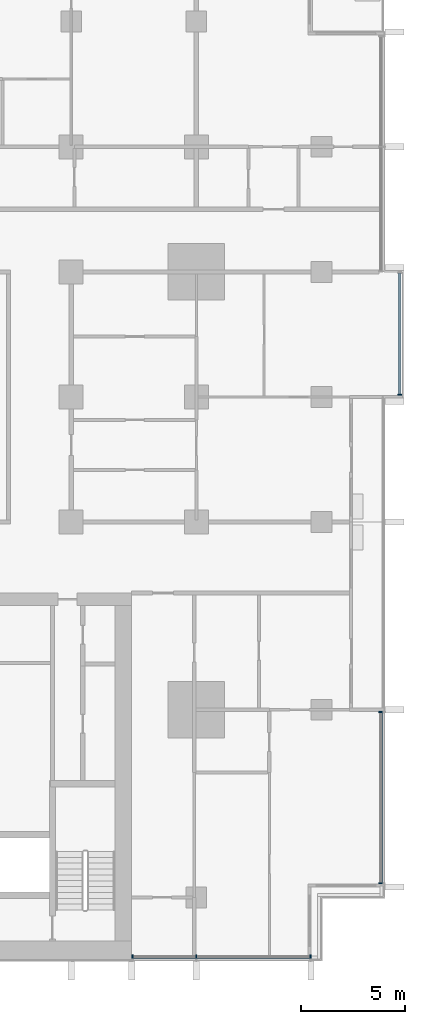
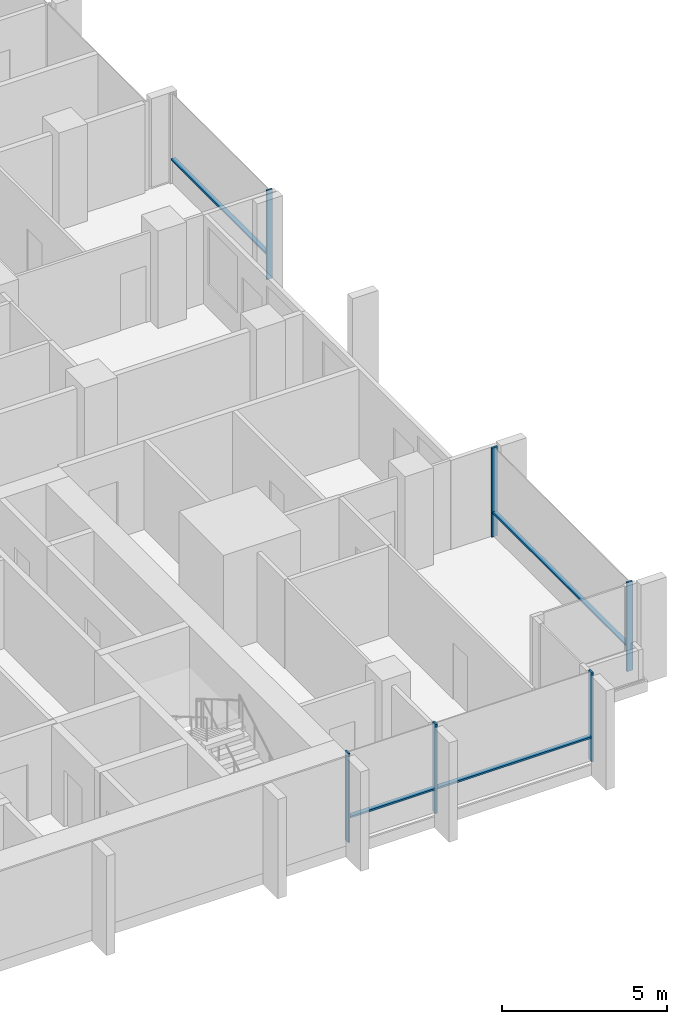
# One storey, part 3 of 19: 10 members, 3 elements without a shape of their own.
"""IFC4 building model written with IfcOpenShell, lengths in metres."""

from ifc_helpers import new_model, si_unit, direction, frame, origin, origin_2d, place, context, subcontext, project, spatial, rectangle, extrude, material, material_profile, profile_set, type_object, element, aggregate, save


model = new_model("IFC4")

# Units and contexts
model_context = context("Model", 3, precision=1e-05, world=origin(), true_north=direction((0.0, 1.0)))
body_context = subcontext(model_context, "Body", "Model", "MODEL_VIEW")
ifc_project = project(units=[si_unit("LENGTHUNIT", "METRE"), si_unit("AREAUNIT", "SQUARE_METRE"), si_unit("VOLUMEUNIT", "CUBIC_METRE"), si_unit("PLANEANGLEUNIT", "RADIAN"), si_unit("MASSUNIT", "GRAM", prefix="KILO")], contexts=[model_context])

# Site, building, storey
site_placement = place(None, origin())
site = spatial("IfcSite", under=ifc_project, at=site_placement, CompositionType="ELEMENT")
building_placement = place(site_placement, origin())
building = spatial("IfcBuilding", under=site, at=building_placement, Name="Finial Court Residences", CompositionType="ELEMENT")
storey_placement = place(building_placement, frame((0.0, 0.0, 81.10009765625)))
storey = spatial("IfcBuildingStorey", under=building, at=storey_placement, Name="L19", CompositionType="ELEMENT", Elevation=81.10009765625)

# Curtain wall, members
ifc_material = material(Name="Bronze anodised aluminium", Category="aluminium")
curtain_wall_type = type_object("IfcCurtainWallType", Name="Unitised curtain wall, lower and middle zones", PredefinedType="NOTDEFINED", material=ifc_material)
curtain_wall_1_placement = place(storey_placement, origin())
curtain_wall_1 = element("IfcCurtainWall", 1, at=curtain_wall_1_placement, inside=storey, type_object=curtain_wall_type, Name="E-L19-CW-E3", PredefinedType="NOTDEFINED")
ifc_material_profile_1 = material_profile(ifc_material, rectangle(XDim=0.199951171875, YDim=0.06494140625, at=origin_2d()), Name="CW1 mullion 65 x 200")
ifc_profile_set_1 = profile_set([ifc_material_profile_1], Name="Bronze anodised aluminium")
member_type_1 = type_object("IfcMemberType", Name="CW1 mullion 65 x 200", PredefinedType="MULLION", material=ifc_profile_set_1)
member_1_placement = place(storey_placement, frame((25.35009765625, -21.8173828125, 0.0), z_axis=(0.0, 0.0, 1.0), x_axis=(-1.0, 0.0, 0.0)))
member_1 = element("IfcMember", 2, at=member_1_placement, type_object=member_type_1, Name="CW1 mullion 1", PredefinedType="MULLION", context=body_context, shape_type="SweptSolid", body=[
    extrude(rectangle(XDim=0.199951171875, YDim=0.06494140625, at=origin_2d()), origin(), (0.0, 0.0, 1.0), 3.2998046875),
])
member_2_placement = place(storey_placement, frame((25.35009765625, -13.607421875, 0.0), z_axis=(0.0, 0.0, 1.0), x_axis=(-1.0, 0.0, 0.0)))
member_2 = element("IfcMember", 3, at=member_2_placement, type_object=member_type_1, Name="CW1 mullion 2", PredefinedType="MULLION", context=body_context, shape_type="SweptSolid", body=[
    extrude(rectangle(XDim=0.199951171875, YDim=0.06494140625, at=origin_2d()), origin(), (0.0, 0.0, 1.0), 3.2998046875),
])

# Curtain wall, member
curtain_wall_2_placement = place(storey_placement, origin())
curtain_wall_2 = element("IfcCurtainWall", 4, at=curtain_wall_2_placement, inside=storey, type_object=curtain_wall_type, Name="E-L19-CW-E4", PredefinedType="NOTDEFINED")
member_3_placement = place(storey_placement, frame((26.25, 1.607421875, 0.0), z_axis=(0.0, 0.0, 1.0), x_axis=(-1.0, 0.0, 0.0)))
member_3 = element("IfcMember", 5, at=member_3_placement, type_object=member_type_1, Name="CW1 mullion 1", PredefinedType="MULLION", context=body_context, shape_type="SweptSolid", body=[
    extrude(rectangle(XDim=0.199951171875, YDim=0.06494140625, at=origin_2d()), origin(), (0.0, 0.0, 1.0), 3.2998046875),
])

# Curtain wall, members
curtain_wall_3_placement = place(storey_placement, origin())
curtain_wall_3 = element("IfcCurtainWall", 6, at=curtain_wall_3_placement, inside=storey, type_object=curtain_wall_type, Name="E-L19-CW-S7", PredefinedType="NOTDEFINED")
member_4_placement = place(storey_placement, frame((13.4326171875, -25.35009765625, 0.0), z_axis=(0.0, 0.0, 1.0), x_axis=(0.0, 1.0, 0.0)))
member_4 = element("IfcMember", 7, at=member_4_placement, type_object=member_type_1, Name="CW1 mullion 1", PredefinedType="MULLION", context=body_context, shape_type="SweptSolid", body=[
    extrude(rectangle(XDim=0.199951171875, YDim=0.06494140625, at=origin_2d()), origin(), (0.0, 0.0, 1.0), 3.2998046875),
])
member_5_placement = place(storey_placement, frame((16.5, -25.35009765625, 0.0), z_axis=(0.0, 0.0, 1.0), x_axis=(0.0, 1.0, 0.0)))
member_5 = element("IfcMember", 8, at=member_5_placement, type_object=member_type_1, Name="CW1 mullion 2", PredefinedType="MULLION", context=body_context, shape_type="SweptSolid", body=[
    extrude(rectangle(XDim=0.199951171875, YDim=0.06494140625, at=origin_2d()), origin(), (0.0, 0.0, 1.0), 3.2998046875),
])
member_6_placement = place(storey_placement, frame((21.967529296875, -25.35009765625, 0.0), z_axis=(0.0, 0.0, 1.0), x_axis=(0.0, 1.0, 0.0)))
member_6 = element("IfcMember", 9, at=member_6_placement, type_object=member_type_1, Name="CW1 mullion 3", PredefinedType="MULLION", context=body_context, shape_type="SweptSolid", body=[
    extrude(rectangle(XDim=0.199951171875, YDim=0.06494140625, at=origin_2d()), origin(), (0.0, 0.0, 1.0), 3.2998046875),
])

# Member
ifc_material_profile_2 = material_profile(ifc_material, rectangle(XDim=0.14990234375, YDim=0.06494140625, at=origin_2d()), Name="CW1 transom 65 x 150")
ifc_profile_set_2 = profile_set([ifc_material_profile_2], Name="Bronze anodised aluminium")
member_type_2 = type_object("IfcMemberType", Name="CW1 transom 65 x 150", PredefinedType="USERDEFINED", material=ifc_profile_set_2)
member_7_placement = place(storey_placement, frame((25.35009765625, -21.784912109375, 0.89990234375), z_axis=(0.0, 1.0, 0.0), x_axis=(-1.0, 0.0, 0.0)))
member_7 = element("IfcMember", 10, at=member_7_placement, type_object=member_type_2, Name="CW1 transom 1.1", ObjectType="TRANSOM", PredefinedType="USERDEFINED", context=body_context, shape_type="SweptSolid", body=[
    extrude(rectangle(XDim=0.14990234375, YDim=0.06494140625, at=origin_2d()), origin(), (0.0, 0.0, 1.0), 8.14501953125),
])

aggregate(curtain_wall_1, [member_1, member_2, member_7])

member_8_placement = place(storey_placement, frame((26.25, 1.639892578125, 0.89990234375), z_axis=(0.0, 1.0, 0.0), x_axis=(-1.0, 0.0, 0.0)))
member_8 = element("IfcMember", 11, at=member_8_placement, type_object=member_type_2, Name="CW1 transom 1.1", ObjectType="TRANSOM", PredefinedType="USERDEFINED", context=body_context, shape_type="SweptSolid", body=[
    extrude(rectangle(XDim=0.14990234375, YDim=0.06494140625, at=origin_2d()), origin(), (0.0, 0.0, 1.0), 5.795166015625),
])

aggregate(curtain_wall_2, [member_3, member_8])

member_9_placement = place(storey_placement, frame((13.465087890625, -25.35009765625, 0.89990234375), z_axis=(1.0, 0.0, 0.0), x_axis=(0.0, 1.0, 0.0)))
member_9 = element("IfcMember", 12, at=member_9_placement, type_object=member_type_2, Name="CW1 transom 1.1", ObjectType="TRANSOM", PredefinedType="USERDEFINED", context=body_context, shape_type="SweptSolid", body=[
    extrude(rectangle(XDim=0.14990234375, YDim=0.06494140625, at=origin_2d()), origin(), (0.0, 0.0, 1.0), 3.00244140625),
])

member_10_placement = place(storey_placement, frame((16.532470703125, -25.35009765625, 0.89990234375), z_axis=(1.0, 0.0, 0.0), x_axis=(0.0, 1.0, 0.0)))
member_10 = element("IfcMember", 13, at=member_10_placement, type_object=member_type_2, Name="CW1 transom 2.1", ObjectType="TRANSOM", PredefinedType="USERDEFINED", context=body_context, shape_type="SweptSolid", body=[
    extrude(rectangle(XDim=0.14990234375, YDim=0.06494140625, at=origin_2d()), origin(), (0.0, 0.0, 1.0), 5.402587890625),
])

aggregate(curtain_wall_3, [member_4, member_5, member_6, member_9, member_10])

save(model, "model.ifc")
